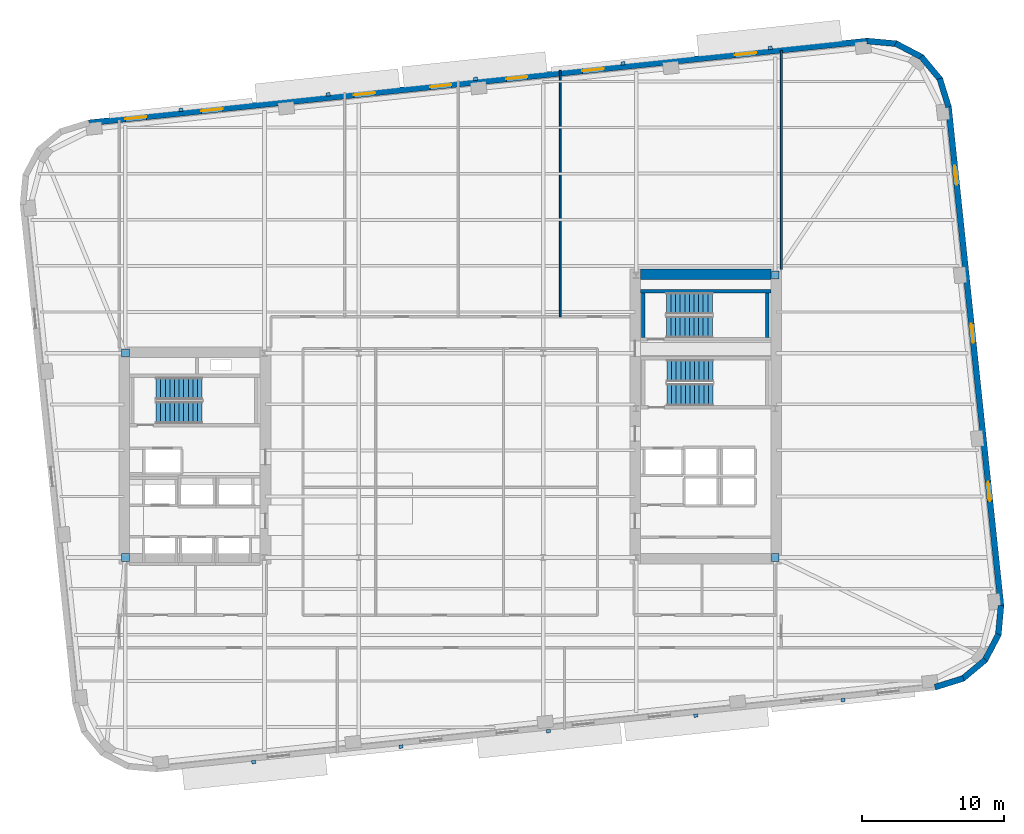
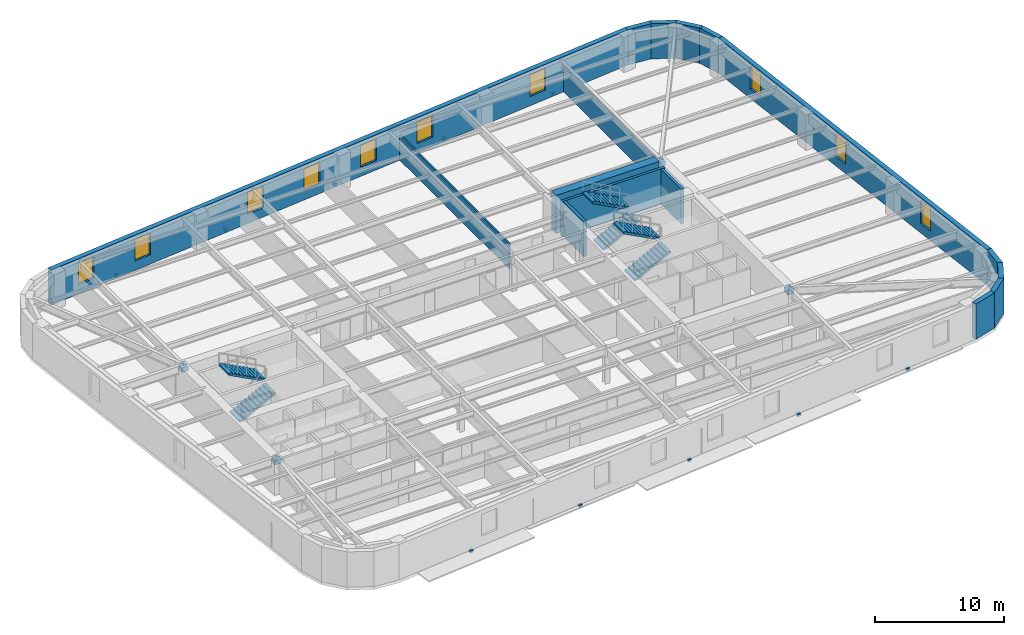
# One storey, part 7 of 12: 16 walls, 14 discrete accessories, 10 windows, 6 stair flights, 10 openings, 3 elements without a shape of their own.
"""IFC4 building model written with IfcOpenShell, lengths in metres."""

from ifc_helpers import new_model, si_unit, direction, frame, frame_2d, origin, origin_2d, place, context, subcontext, project, spatial, polyline, rectangle, outline, extrude, material, layer, layer_set, type_object, element, fill, aggregate, save


model = new_model("IFC4")

# Units and contexts
model_context = context("Model", 3, precision=1e-05, world=origin(), true_north=direction((0.0, 1.0)))
body_context = subcontext(model_context, "Body", "Model", "MODEL_VIEW")
ifc_project = project(units=[si_unit("LENGTHUNIT", "METRE"), si_unit("AREAUNIT", "SQUARE_METRE"), si_unit("VOLUMEUNIT", "CUBIC_METRE"), si_unit("PLANEANGLEUNIT", "RADIAN"), si_unit("MASSUNIT", "GRAM", prefix="KILO")], contexts=[model_context])

# Site, building, storey
site_placement = place(None, origin())
site = spatial("IfcSite", under=ifc_project, at=site_placement, CompositionType="ELEMENT")
building_placement = place(site_placement, origin())
building = spatial("IfcBuilding", under=site, at=building_placement, Name="Kolvaren Arena Tower", CompositionType="ELEMENT")
storey_placement = place(building_placement, frame((0.0, 0.0, 149.5)))
storey = spatial("IfcBuildingStorey", under=building, at=storey_placement, Name="L35", CompositionType="ELEMENT", Elevation=149.5)

# Walls
ifc_material_1 = material(Name="Concrete 70 MPa", Category="concrete")
ifc_layer_1 = layer(ifc_material_1, 0.75)
ifc_layer_set_1 = layer_set([ifc_layer_1], Name="Concrete 70 MPa")
wall_type_1 = type_object("IfcWallType", Name="CWALL-750", PredefinedType="SHEAR", material=ifc_layer_set_1)
wall_1_placement = place(storey_placement, frame((50.85009765625, 39.425048828125, -0.27001953125), z_axis=(0.0, 0.0, 1.0), x_axis=(1.0, 0.0, 0.0)))
element("IfcWall", 1, at=wall_1_placement, inside=storey, type_object=wall_type_1, Name="Core Shear Wall EC-NORTH (L35)", PredefinedType="SHEAR", context=body_context, shape_type="SweptSolid", body=[
    extrude(rectangle(XDim=9.199951171875, YDim=0.75, at=frame_2d((4.60009765625, 0.0))), origin(), (0.0, 0.0, 1.0), 3.60009765625),
])
ifc_material_2 = material(Name="Precast concrete C50/60", Category="concrete")
ifc_layer_2 = layer(ifc_material_2, 0.419921875)
ifc_layer_set_2 = layer_set([ifc_layer_2], Name="Precast concrete C50/60")
wall_type_2 = type_object("IfcWallType", Name="EXT-PIER1", PredefinedType="SOLIDWALL", material=ifc_layer_set_2)
for number, where, z_axis, x_axis, name in (
    (2, (73.61328125, 10.93701171875, 0.0), (0.0, 0.0, 1.0), (-0.954993985335, -0.296625164093, 0.0), "Exterior Precast Masonry-Frame Wall (L35)"),
    (3, (75.1611328125, 12.2451171875, 0.0), (0.0, 0.0, 1.0), (-0.768800317178, -0.639488914921, 0.0), "Exterior Precast Masonry-Frame Wall (L35)"),
):
    element("IfcWall", number, at=place(storey_placement, frame(where, z_axis=z_axis, x_axis=x_axis)), inside=storey, type_object=wall_type_2, Name=name, PredefinedType="SOLIDWALL", context=body_context, shape_type="SweptSolid", body=[
        extrude(rectangle(XDim=2.10693359375, YDim=0.419921875, at=frame_2d((1.053466796875, 0.0))), origin(), (0.0, 0.0, 1.0), 3.330078125),
    ])
wall_2_placement = place(storey_placement, frame((76.0908203125, 14.046142578125, 0.0), z_axis=(0.0, 0.0, 1.0), x_axis=(-0.465655699908, -0.884965970613, 0.0)))
element("IfcWall", 4, at=wall_2_placement, inside=storey, type_object=wall_type_2, Name="Exterior Precast Masonry-Frame Wall (L35)", PredefinedType="SOLIDWALL", context=body_context, shape_type="SweptSolid", body=[
    extrude(rectangle(XDim=2.107177734375, YDim=0.419921875, at=frame_2d((1.0537109375, 0.0))), origin(), (0.0, 0.0, 1.0), 3.330078125),
])
wall_3_placement = place(storey_placement, frame((76.26025390625, 16.065673828125, 0.0), z_axis=(0.0, 0.0, 1.0), x_axis=(-0.091538655308, -0.995801523691, 0.0)))
element("IfcWall", 5, at=wall_3_placement, inside=storey, type_object=wall_type_2, Name="Exterior Precast Masonry-Frame Wall (L35)", PredefinedType="SOLIDWALL", context=body_context, shape_type="SweptSolid", body=[
    extrude(rectangle(XDim=2.10693359375, YDim=0.419921875, at=frame_2d((1.053466796875, 0.0))), origin(), (0.0, 0.0, 1.0), 3.330078125),
])

# Wall, openings, windows
wall_4_placement = place(storey_placement, frame((72.560302734375, 51.23046875, 0.0), z_axis=(0.0, 0.0, 1.0), x_axis=(0.1045253859, -0.994522218808, 0.0)))
wall_4 = element("IfcWall", 6, at=wall_4_placement, inside=storey, type_object=wall_type_2, Name="Exterior Precast Masonry-Frame Wall (L35)", PredefinedType="SOLIDWALL", context=body_context, shape_type="SweptSolid", body=[
    extrude(rectangle(XDim=35.39990234375, YDim=0.419921875, at=frame_2d((17.699951171875, 0.0))), origin(), (0.0, 0.0, 1.0), 3.330078125),
])
opening_1_placement = place(wall_4_placement, frame((4.199951171875, 0.0, 0.8798828125)))
opening_1 = element("IfcOpeningElement", 7, at=opening_1_placement, cuts=wall_4, Name="Opening W04", PredefinedType="OPENING", context=body_context, shape_type="SweptSolid", body=[
    extrude(rectangle(XDim=1.35009765625, YDim=2.199951171875, at=frame_2d((0.675048828125, 1.10009765625))), frame((0.0, 0.219970703125, 0.0), z_axis=(0.0, -1.0, 0.0), x_axis=(1.0, 0.0, 0.0)), (0.0, 0.0, 1.0), 0.43994140625),
])
opening_2_placement = place(wall_4_placement, frame((15.39990234375, 0.0, 0.8798828125)))
opening_2 = element("IfcOpeningElement", 8, at=opening_2_placement, cuts=wall_4, Name="Opening W04", PredefinedType="OPENING", context=body_context, shape_type="SweptSolid", body=[
    extrude(rectangle(XDim=1.35009765625, YDim=2.199951171875, at=frame_2d((0.675048828125, 1.10009765625))), frame((0.0, 0.219970703125, 0.0), z_axis=(0.0, -1.0, 0.0), x_axis=(1.0, 0.0, 0.0)), (0.0, 0.0, 1.0), 0.43994140625),
])
opening_3_placement = place(wall_4_placement, frame((26.60009765625, 0.0, 0.8798828125)))
opening_3 = element("IfcOpeningElement", 9, at=opening_3_placement, cuts=wall_4, Name="Opening W04", PredefinedType="OPENING", context=body_context, shape_type="SweptSolid", body=[
    extrude(rectangle(XDim=1.35009765625, YDim=2.199951171875, at=frame_2d((0.675048828125, 1.10009765625))), frame((0.0, 0.219970703125, 0.0), z_axis=(0.0, -1.0, 0.0), x_axis=(1.0, 0.0, 0.0)), (0.0, 0.0, 1.0), 0.43994140625),
])
ifc_material_3 = material(Name="Triple-glazed curved-facet corner window", Category="glass")
window_type_1 = type_object("IfcWindowType", Name="WIN-CRN-A", PartitioningType="SINGLE_PANEL", PredefinedType="WINDOW", material=ifc_material_3)
window_1_placement = place(opening_1_placement, origin())
window_1 = element("IfcWindow", 10, at=window_1_placement, inside=storey, type_object=window_type_1, Name="End-Wall Punched Window (L35)", OverallHeight=2.199951171875, OverallWidth=1.35009765625, PartitioningType="SINGLE_PANEL", PredefinedType="WINDOW", context=body_context, shape_type="SweptSolid", body=[
    extrude(rectangle(XDim=1.35009765625, YDim=2.199951171875, at=frame_2d((0.675048828125, 1.10009765625))), frame((0.0, 0.030029296875, 0.0), z_axis=(0.0, -1.0, 0.0), x_axis=(1.0, 0.0, 0.0)), (0.0, 0.0, 1.0), 0.06005859375),
])
fill(opening_1, window_1)
window_2_placement = place(opening_2_placement, origin())
window_2 = element("IfcWindow", 11, at=window_2_placement, inside=storey, type_object=window_type_1, Name="End-Wall Punched Window (L35)", OverallHeight=2.199951171875, OverallWidth=1.35009765625, PartitioningType="SINGLE_PANEL", PredefinedType="WINDOW", context=body_context, shape_type="SweptSolid", body=[
    extrude(rectangle(XDim=1.35009765625, YDim=2.199951171875, at=frame_2d((0.675048828125, 1.10009765625))), frame((0.0, 0.030029296875, 0.0), z_axis=(0.0, -1.0, 0.0), x_axis=(1.0, 0.0, 0.0)), (0.0, 0.0, 1.0), 0.06005859375),
])
fill(opening_2, window_2)
window_3_placement = place(opening_3_placement, origin())
window_3 = element("IfcWindow", 12, at=window_3_placement, inside=storey, type_object=window_type_1, Name="End-Wall Punched Window (L35)", OverallHeight=2.199951171875, OverallWidth=1.35009765625, PartitioningType="SINGLE_PANEL", PredefinedType="WINDOW", context=body_context, shape_type="SweptSolid", body=[
    extrude(rectangle(XDim=1.35009765625, YDim=2.199951171875, at=frame_2d((0.675048828125, 1.10009765625))), frame((0.0, 0.030029296875, 0.0), z_axis=(0.0, -1.0, 0.0), x_axis=(1.0, 0.0, 0.0)), (0.0, 0.0, 1.0), 0.06005859375),
])
fill(opening_3, window_3)

# Walls
for number, where, z_axis, x_axis, name in (
    (13, (71.943603515625, 53.202392578125, 0.0), (0.0, 0.0, 1.0), (0.296625164093, -0.954993985335, 0.0), "Exterior Precast Masonry-Frame Wall (L35)"),
    (14, (70.635498046875, 54.750244140625, 0.0), (0.0, 0.0, 1.0), (0.639488914921, -0.768800317178, 0.0), "Exterior Precast Masonry-Frame Wall (L35)"),
    (15, (68.83447265625, 55.6796875, 0.0), (0.0, 0.0, 1.0), (0.885013714693, -0.465564952296, 0.0), "Exterior Precast Masonry-Frame Wall (L35)"),
    (16, (66.81494140625, 55.849365234375, 0.0), (0.0, 0.0, 1.0), (0.995801523691, -0.091538655308, 0.0), "Exterior Precast Masonry-Frame Wall (L35)"),
):
    element("IfcWall", number, at=place(storey_placement, frame(where, z_axis=z_axis, x_axis=x_axis)), inside=storey, type_object=wall_type_2, Name=name, PredefinedType="SOLIDWALL", context=body_context, shape_type="SweptSolid", body=[
        extrude(rectangle(XDim=2.10693359375, YDim=0.419921875, at=frame_2d((1.053466796875, 0.0))), origin(), (0.0, 0.0, 1.0), 3.330078125),
    ])

# Wall, openings, windows
wall_5_placement = place(storey_placement, frame((11.95849609375, 50.07958984375, 0.0), z_axis=(0.0, 0.0, 1.0), x_axis=(0.994521823388, 0.104529148113, 0.0)))
wall_5 = element("IfcWall", 17, at=wall_5_placement, inside=storey, type_object=wall_type_2, Name="Exterior Precast Masonry-Frame Wall (L35)", PredefinedType="SOLIDWALL", context=body_context, shape_type="SweptSolid", body=[
    extrude(rectangle(XDim=55.2001953125, YDim=0.419921875, at=frame_2d((27.60009765625, 0.0))), origin(), (0.0, 0.0, 1.0), 3.330078125),
])
opening_4_placement = place(wall_5_placement, frame((2.60009765625, 0.0, 0.8798828125)))
opening_4 = element("IfcOpeningElement", 18, at=opening_4_placement, cuts=wall_5, Name="Opening W03", PredefinedType="OPENING", context=body_context, shape_type="SweptSolid", body=[
    extrude(rectangle(XDim=1.5, YDim=2.050048828125, at=frame_2d((0.75, 1.02490234375))), frame((0.0, 0.219970703125, 0.0), z_axis=(0.0, -1.0, 0.0), x_axis=(1.0, 0.0, 0.0)), (0.0, 0.0, 1.0), 0.43994140625),
])
opening_5_placement = place(wall_5_placement, frame((8.0, 0.0, 0.8798828125)))
opening_5 = element("IfcOpeningElement", 19, at=opening_5_placement, cuts=wall_5, Name="Opening W03", PredefinedType="OPENING", context=body_context, shape_type="SweptSolid", body=[
    extrude(rectangle(XDim=1.5, YDim=2.050048828125, at=frame_2d((0.75, 1.02490234375))), frame((0.0, 0.219970703125, 0.0), z_axis=(0.0, -1.0, 0.0), x_axis=(1.0, 0.0, 0.0)), (0.0, 0.0, 1.0), 0.43994140625),
])
opening_6_placement = place(wall_5_placement, frame((18.800048828125, 0.0, 0.8798828125)))
opening_6 = element("IfcOpeningElement", 20, at=opening_6_placement, cuts=wall_5, Name="Opening W03", PredefinedType="OPENING", context=body_context, shape_type="SweptSolid", body=[
    extrude(rectangle(XDim=1.5, YDim=2.050048828125, at=frame_2d((0.75, 1.02490234375))), frame((0.0, 0.219970703125, 0.0), z_axis=(0.0, -1.0, 0.0), x_axis=(1.0, 0.0, 0.0)), (0.0, 0.0, 1.0), 0.43994140625),
])
opening_7_placement = place(wall_5_placement, frame((24.199951171875, 0.0, 0.8798828125)))
opening_7 = element("IfcOpeningElement", 21, at=opening_7_placement, cuts=wall_5, Name="Opening W03", PredefinedType="OPENING", context=body_context, shape_type="SweptSolid", body=[
    extrude(rectangle(XDim=1.5, YDim=2.050048828125, at=frame_2d((0.75, 1.02490234375))), frame((0.0, 0.219970703125, 0.0), z_axis=(0.0, -1.0, 0.0), x_axis=(1.0, 0.0, 0.0)), (0.0, 0.0, 1.0), 0.43994140625),
])
opening_8_placement = place(wall_5_placement, frame((29.60009765625, 0.0, 0.8798828125)))
opening_8 = element("IfcOpeningElement", 22, at=opening_8_placement, cuts=wall_5, Name="Opening W03", PredefinedType="OPENING", context=body_context, shape_type="SweptSolid", body=[
    extrude(rectangle(XDim=1.5, YDim=2.050048828125, at=frame_2d((0.75, 1.02490234375))), frame((0.0, 0.219970703125, 0.0), z_axis=(0.0, -1.0, 0.0), x_axis=(1.0, 0.0, 0.0)), (0.0, 0.0, 1.0), 0.43994140625),
])
opening_9_placement = place(wall_5_placement, frame((35.0, 0.0, 0.8798828125)))
opening_9 = element("IfcOpeningElement", 23, at=opening_9_placement, cuts=wall_5, Name="Opening W03", PredefinedType="OPENING", context=body_context, shape_type="SweptSolid", body=[
    extrude(rectangle(XDim=1.5, YDim=2.050048828125, at=frame_2d((0.75, 1.02490234375))), frame((0.0, 0.219970703125, 0.0), z_axis=(0.0, -1.0, 0.0), x_axis=(1.0, 0.0, 0.0)), (0.0, 0.0, 1.0), 0.43994140625),
])
opening_10_placement = place(wall_5_placement, frame((45.800048828125, 0.0, 0.8798828125)))
opening_10 = element("IfcOpeningElement", 24, at=opening_10_placement, cuts=wall_5, Name="Opening W03", PredefinedType="OPENING", context=body_context, shape_type="SweptSolid", body=[
    extrude(rectangle(XDim=1.5, YDim=2.050048828125, at=frame_2d((0.75, 1.02490234375))), frame((0.0, 0.219970703125, 0.0), z_axis=(0.0, -1.0, 0.0), x_axis=(1.0, 0.0, 0.0)), (0.0, 0.0, 1.0), 0.43994140625),
])
ifc_material_4 = material(Name="Triple-glazed low-E aluminium window", Category="aluminium")
window_type_2 = type_object("IfcWindowType", Name="WIN-OFF-C", PartitioningType="SINGLE_PANEL", PredefinedType="WINDOW", material=ifc_material_4)
window_4_placement = place(opening_4_placement, origin())
window_4 = element("IfcWindow", 25, at=window_4_placement, inside=storey, type_object=window_type_2, Name="Punched Precast-Pier Window (L35)", OverallHeight=2.050048828125, OverallWidth=1.5, PartitioningType="SINGLE_PANEL", PredefinedType="WINDOW", context=body_context, shape_type="SweptSolid", body=[
    extrude(rectangle(XDim=1.5, YDim=2.050048828125, at=frame_2d((0.75, 1.02490234375))), frame((0.0, 0.030029296875, 0.0), z_axis=(0.0, -1.0, 0.0), x_axis=(1.0, 0.0, 0.0)), (0.0, 0.0, 1.0), 0.06005859375),
])
fill(opening_4, window_4)
window_5_placement = place(opening_5_placement, origin())
window_5 = element("IfcWindow", 26, at=window_5_placement, inside=storey, type_object=window_type_2, Name="Punched Precast-Pier Window (L35)", OverallHeight=2.050048828125, OverallWidth=1.5, PartitioningType="SINGLE_PANEL", PredefinedType="WINDOW", context=body_context, shape_type="SweptSolid", body=[
    extrude(rectangle(XDim=1.5, YDim=2.050048828125, at=frame_2d((0.75, 1.02490234375))), frame((0.0, 0.030029296875, 0.0), z_axis=(0.0, -1.0, 0.0), x_axis=(1.0, 0.0, 0.0)), (0.0, 0.0, 1.0), 0.06005859375),
])
fill(opening_5, window_5)
window_6_placement = place(opening_6_placement, origin())
window_6 = element("IfcWindow", 27, at=window_6_placement, inside=storey, type_object=window_type_2, Name="Punched Precast-Pier Window (L35)", OverallHeight=2.050048828125, OverallWidth=1.5, PartitioningType="SINGLE_PANEL", PredefinedType="WINDOW", context=body_context, shape_type="SweptSolid", body=[
    extrude(rectangle(XDim=1.5, YDim=2.050048828125, at=frame_2d((0.75, 1.02490234375))), frame((0.0, 0.030029296875, 0.0), z_axis=(0.0, -1.0, 0.0), x_axis=(1.0, 0.0, 0.0)), (0.0, 0.0, 1.0), 0.06005859375),
])
fill(opening_6, window_6)
window_7_placement = place(opening_7_placement, origin())
window_7 = element("IfcWindow", 28, at=window_7_placement, inside=storey, type_object=window_type_2, Name="Punched Precast-Pier Window (L35)", OverallHeight=2.050048828125, OverallWidth=1.5, PartitioningType="SINGLE_PANEL", PredefinedType="WINDOW", context=body_context, shape_type="SweptSolid", body=[
    extrude(rectangle(XDim=1.5, YDim=2.050048828125, at=frame_2d((0.75, 1.02490234375))), frame((0.0, 0.030029296875, 0.0), z_axis=(0.0, -1.0, 0.0), x_axis=(1.0, 0.0, 0.0)), (0.0, 0.0, 1.0), 0.06005859375),
])
fill(opening_7, window_7)
window_8_placement = place(opening_8_placement, origin())
window_8 = element("IfcWindow", 29, at=window_8_placement, inside=storey, type_object=window_type_2, Name="Punched Precast-Pier Window (L35)", OverallHeight=2.050048828125, OverallWidth=1.5, PartitioningType="SINGLE_PANEL", PredefinedType="WINDOW", context=body_context, shape_type="SweptSolid", body=[
    extrude(rectangle(XDim=1.5, YDim=2.050048828125, at=frame_2d((0.75, 1.02490234375))), frame((0.0, 0.030029296875, 0.0), z_axis=(0.0, -1.0, 0.0), x_axis=(1.0, 0.0, 0.0)), (0.0, 0.0, 1.0), 0.06005859375),
])
fill(opening_8, window_8)
window_9_placement = place(opening_9_placement, origin())
window_9 = element("IfcWindow", 30, at=window_9_placement, inside=storey, type_object=window_type_2, Name="Punched Precast-Pier Window (L35)", OverallHeight=2.050048828125, OverallWidth=1.5, PartitioningType="SINGLE_PANEL", PredefinedType="WINDOW", context=body_context, shape_type="SweptSolid", body=[
    extrude(rectangle(XDim=1.5, YDim=2.050048828125, at=frame_2d((0.75, 1.02490234375))), frame((0.0, 0.030029296875, 0.0), z_axis=(0.0, -1.0, 0.0), x_axis=(1.0, 0.0, 0.0)), (0.0, 0.0, 1.0), 0.06005859375),
])
fill(opening_9, window_9)
window_10_placement = place(opening_10_placement, origin())
window_10 = element("IfcWindow", 31, at=window_10_placement, inside=storey, type_object=window_type_2, Name="Punched Precast-Pier Window (L35)", OverallHeight=2.050048828125, OverallWidth=1.5, PartitioningType="SINGLE_PANEL", PredefinedType="WINDOW", context=body_context, shape_type="SweptSolid", body=[
    extrude(rectangle(XDim=1.5, YDim=2.050048828125, at=frame_2d((0.75, 1.02490234375))), frame((0.0, 0.030029296875, 0.0), z_axis=(0.0, -1.0, 0.0), x_axis=(1.0, 0.0, 0.0)), (0.0, 0.0, 1.0), 0.06005859375),
])
fill(opening_10, window_10)

# Walls
ifc_material_5 = material(Name="Gypsum board partition assembly", Category="gypsum")
ifc_layer_3 = layer(ifc_material_5, 0.135009765625)
ifc_layer_set_3 = layer_set([ifc_layer_3], Name="Gypsum board partition assembly")
wall_type_3 = type_object("IfcWallType", Name="PART-135", PredefinedType="PARTITIONING", material=ifc_layer_set_3)
wall_6_placement = place(storey_placement, frame((45.199951171875, 36.419921875, 0.0), z_axis=(0.0, 0.0, 1.0), x_axis=(0.0, 1.0, 0.0)))
element("IfcWall", 32, at=wall_6_placement, inside=storey, type_object=wall_type_3, Name="Interior Partition Wall (L35)", PredefinedType="PARTITIONING", context=body_context, shape_type="SweptSolid", body=[
    extrude(rectangle(XDim=17.36474609375, YDim=0.135009765625, at=frame_2d((8.682373046875, 0.0))), origin(), (0.0, 0.0, 1.0), 2.389892578125),
])
wall_7_placement = place(storey_placement, frame((60.780029296875, 39.75, 0.0), z_axis=(0.0, 0.0, 1.0), x_axis=(0.0, 1.0, 0.0)))
element("IfcWall", 33, at=wall_7_placement, inside=storey, type_object=wall_type_3, Name="Interior Partition Wall (L35)", PredefinedType="PARTITIONING", context=body_context, shape_type="SweptSolid", body=[
    extrude(rectangle(XDim=15.430908203125, YDim=0.135009765625, at=frame_2d((7.71533203125, 0.0))), origin(), (0.0, 0.0, 1.0), 2.389892578125),
])
ifc_material_6 = material(Name="Concrete 45 MPa", Category="concrete")
ifc_layer_4 = layer(ifc_material_6, 0.25)
ifc_layer_set_4 = layer_set([ifc_layer_4], Name="Concrete 45 MPa")
wall_type_4 = type_object("IfcWallType", Name="SHAFT-250", PredefinedType="SOLIDWALL", material=ifc_layer_set_4)
wall_8_placement = place(storey_placement, frame((50.85009765625, 38.219970703125, 0.0), z_axis=(0.0, 0.0, 1.0), x_axis=(1.0, 0.0, 0.0)))
element("IfcWall", 34, at=wall_8_placement, inside=storey, type_object=wall_type_4, Name="Core Shaft Wall (L35)", PredefinedType="SOLIDWALL", context=body_context, shape_type="SweptSolid", body=[
    extrude(rectangle(XDim=9.199951171875, YDim=0.239990234375, at=frame_2d((4.60009765625, 0.0))), origin(), (0.0, 0.0, 1.0), 3.330078125),
])
for number, where, z_axis, x_axis, name in (
    (35, (51.06005859375, 34.949951171875, 0.0), (0.0, 0.0, 1.0), (0.0, 1.0, 0.0), "Core Shaft Wall (L35)"),
    (36, (59.780029296875, 34.949951171875, 0.0), (0.0, 0.0, 1.0), (0.0, 1.0, 0.0), "Core Shaft Wall (L35)"),
):
    element("IfcWall", number, at=place(storey_placement, frame(where, z_axis=z_axis, x_axis=x_axis)), inside=storey, type_object=wall_type_4, Name=name, PredefinedType="SOLIDWALL", context=body_context, shape_type="SweptSolid", body=[
        extrude(rectangle(XDim=3.150146484375, YDim=0.239990234375, at=frame_2d((1.5751953125, 0.0))), origin(), (0.0, 0.0, 1.0), 3.330078125),
    ])

# Stair, stair flights
stair_type_1 = type_object("IfcStairType", Name="STAIR-CORE-150", PredefinedType="HALF_TURN_STAIR", material=ifc_material_6)
stair_1_placement = place(storey_placement, origin())
stair_1 = element("IfcStair", 37, at=stair_1_placement, inside=storey, type_object=stair_type_1, Name="L35 ST-E2", PredefinedType="HALF_TURN_STAIR")
stair_flight_type_1 = type_object("IfcStairFlightType", Name="FLT-150", PredefinedType="STRAIGHT", material=ifc_material_6)
stair_flight_1_placement = place(storey_placement, frame((52.679931640625, 35.699951171875, 0.0), z_axis=(0.0, 0.0, 1.0), x_axis=(1.0, 0.0, 0.0)))
stair_flight_1 = element("IfcStairFlight", 38, at=stair_flight_1_placement, type_object=stair_flight_type_1, Name="ST-E2 flight 1", NumberOfRisers=11, NumberOfTreads=10, PredefinedType="STRAIGHT", RiserHeight=0.170454545, TreadLength=0.324, context=body_context, shape_type="SweptSolid", body=[
    extrude(outline(polyline([(0.0, 0.0), (0.0, 0.17041015625), (0.323974609375, 0.17041015625), (0.323974609375, 0.3408203125), (0.64794921875, 0.3408203125), (0.64794921875, 0.511474609375), (0.971923828125, 0.511474609375), (0.971923828125, 0.681884765625), (1.2958984375, 0.681884765625), (1.2958984375, 0.852294921875), (1.6201171875, 0.852294921875), (1.6201171875, 1.022705078125), (1.944091796875, 1.022705078125), (1.944091796875, 1.193115234375), (2.26806640625, 1.193115234375), (2.26806640625, 1.363525390625), (2.592041015625, 1.363525390625), (2.592041015625, 1.5341796875), (2.916015625, 1.5341796875), (2.916015625, 1.70458984375), (3.239990234375, 1.70458984375), (3.239990234375, 1.875), (3.239990234375, 1.53515625), (0.322021484375, 0.0), (0.0, 0.0)])), frame((0.0, 0.75, 0.0), z_axis=(0.0, -1.0, 0.0), x_axis=(1.0, 0.0, 0.0)), (0.0, 0.0, 1.0), 1.5),
])
stair_flight_2_placement = place(storey_placement, frame((55.919921875, 37.35009765625, 1.875), z_axis=(0.0, 0.0, 1.0), x_axis=(-1.0, 0.0, 0.0)))
stair_flight_2 = element("IfcStairFlight", 39, at=stair_flight_2_placement, type_object=stair_flight_type_1, Name="ST-E2 flight 2", NumberOfRisers=11, NumberOfTreads=10, PredefinedType="STRAIGHT", RiserHeight=0.170454545, TreadLength=0.324, context=body_context, shape_type="SweptSolid", body=[
    extrude(outline(polyline([(0.0, 0.0), (0.0, 0.17041015625), (0.323974609375, 0.17041015625), (0.323974609375, 0.3408203125), (0.64794921875, 0.3408203125), (0.64794921875, 0.511474609375), (0.971923828125, 0.511474609375), (0.971923828125, 0.681884765625), (1.2958984375, 0.681884765625), (1.2958984375, 0.852294921875), (1.6201171875, 0.852294921875), (1.6201171875, 1.022705078125), (1.944091796875, 1.022705078125), (1.944091796875, 1.193115234375), (2.26806640625, 1.193115234375), (2.26806640625, 1.363525390625), (2.592041015625, 1.363525390625), (2.592041015625, 1.5341796875), (2.916015625, 1.5341796875), (2.916015625, 1.70458984375), (3.239990234375, 1.70458984375), (3.239990234375, 1.875), (3.239990234375, 1.53515625), (0.322021484375, 0.0), (0.0, 0.0)])), frame((0.0, 0.75, 0.0), z_axis=(0.0, -1.0, 0.0), x_axis=(1.0, 0.0, 0.0)), (0.0, 0.0, 1.0), 1.5),
])
aggregate(stair_1, [stair_flight_1, stair_flight_2])

stair_type_2 = type_object("IfcStairType", Name="STAIR-CORE-165", PredefinedType="HALF_TURN_STAIR", material=ifc_material_6)
stair_2_placement = place(storey_placement, origin())
stair_2 = element("IfcStair", 40, at=stair_2_placement, inside=storey, type_object=stair_type_2, Name="L35 ST-W1", PredefinedType="HALF_TURN_STAIR")
stair_flight_type_2 = type_object("IfcStairFlightType", Name="FLT-165", PredefinedType="STRAIGHT", material=ifc_material_6)
stair_flight_3_placement = place(storey_placement, frame((16.719970703125, 29.669921875, 0.0), z_axis=(0.0, 0.0, 1.0), x_axis=(1.0, 0.0, 0.0)))
stair_flight_3 = element("IfcStairFlight", 41, at=stair_flight_3_placement, type_object=stair_flight_type_2, Name="ST-W1 flight 1", NumberOfRisers=11, NumberOfTreads=10, PredefinedType="STRAIGHT", RiserHeight=0.170454545, TreadLength=0.324, context=body_context, shape_type="SweptSolid", body=[
    extrude(outline(polyline([(0.0, 0.0), (0.0, 0.17041015625), (0.323974609375, 0.17041015625), (0.323974609375, 0.3408203125), (0.64794921875, 0.3408203125), (0.64794921875, 0.511474609375), (0.971923828125, 0.511474609375), (0.971923828125, 0.681884765625), (1.2958984375, 0.681884765625), (1.2958984375, 0.852294921875), (1.6201171875, 0.852294921875), (1.6201171875, 1.022705078125), (1.944091796875, 1.022705078125), (1.944091796875, 1.193115234375), (2.26806640625, 1.193115234375), (2.26806640625, 1.363525390625), (2.592041015625, 1.363525390625), (2.592041015625, 1.5341796875), (2.916015625, 1.5341796875), (2.916015625, 1.70458984375), (3.239990234375, 1.70458984375), (3.239990234375, 1.875), (3.239990234375, 1.53515625), (0.322021484375, 0.0), (0.0, 0.0)])), frame((0.0, 0.77001953125, 0.0), z_axis=(0.0, -1.0, 0.0), x_axis=(1.0, 0.0, 0.0)), (0.0, 0.0, 1.0), 1.5400390625),
])
stair_flight_4_placement = place(storey_placement, frame((19.9599609375, 31.360107421875, 1.875), z_axis=(0.0, 0.0, 1.0), x_axis=(-1.0, 0.0, 0.0)))
stair_flight_4 = element("IfcStairFlight", 42, at=stair_flight_4_placement, type_object=stair_flight_type_2, Name="ST-W1 flight 2", NumberOfRisers=11, NumberOfTreads=10, PredefinedType="STRAIGHT", RiserHeight=0.170454545, TreadLength=0.324, context=body_context, shape_type="SweptSolid", body=[
    extrude(outline(polyline([(0.0, 0.0), (0.0, 0.17041015625), (0.323974609375, 0.17041015625), (0.323974609375, 0.3408203125), (0.64794921875, 0.3408203125), (0.64794921875, 0.511474609375), (0.971923828125, 0.511474609375), (0.971923828125, 0.681884765625), (1.2958984375, 0.681884765625), (1.2958984375, 0.852294921875), (1.6201171875, 0.852294921875), (1.6201171875, 1.022705078125), (1.944091796875, 1.022705078125), (1.944091796875, 1.193115234375), (2.26806640625, 1.193115234375), (2.26806640625, 1.363525390625), (2.592041015625, 1.363525390625), (2.592041015625, 1.5341796875), (2.916015625, 1.5341796875), (2.916015625, 1.70458984375), (3.239990234375, 1.70458984375), (3.239990234375, 1.875), (3.239990234375, 1.53515625), (0.322021484375, 0.0), (0.0, 0.0)])), frame((0.0, 0.77001953125, 0.0), z_axis=(0.0, -1.0, 0.0), x_axis=(1.0, 0.0, 0.0)), (0.0, 0.0, 1.0), 1.5400390625),
])
aggregate(stair_2, [stair_flight_3, stair_flight_4])

stair_3_placement = place(storey_placement, origin())
stair_3 = element("IfcStair", 43, at=stair_3_placement, inside=storey, type_object=stair_type_2, Name="L35 ST-E1", PredefinedType="HALF_TURN_STAIR")
stair_flight_5_placement = place(storey_placement, frame((52.719970703125, 30.919921875, 0.0), z_axis=(0.0, 0.0, 1.0), x_axis=(1.0, 0.0, 0.0)))
stair_flight_5 = element("IfcStairFlight", 44, at=stair_flight_5_placement, type_object=stair_flight_type_2, Name="ST-E1 flight 1", NumberOfRisers=11, NumberOfTreads=10, PredefinedType="STRAIGHT", RiserHeight=0.170454545, TreadLength=0.324, context=body_context, shape_type="SweptSolid", body=[
    extrude(outline(polyline([(0.0, 0.0), (0.0, 0.17041015625), (0.323974609375, 0.17041015625), (0.323974609375, 0.3408203125), (0.64794921875, 0.3408203125), (0.64794921875, 0.511474609375), (0.971923828125, 0.511474609375), (0.971923828125, 0.681884765625), (1.2958984375, 0.681884765625), (1.2958984375, 0.852294921875), (1.6201171875, 0.852294921875), (1.6201171875, 1.022705078125), (1.944091796875, 1.022705078125), (1.944091796875, 1.193115234375), (2.26806640625, 1.193115234375), (2.26806640625, 1.363525390625), (2.592041015625, 1.363525390625), (2.592041015625, 1.5341796875), (2.916015625, 1.5341796875), (2.916015625, 1.70458984375), (3.239990234375, 1.70458984375), (3.239990234375, 1.875), (3.239990234375, 1.53515625), (0.322021484375, 0.0), (0.0, 0.0)])), frame((0.0, 0.77001953125, 0.0), z_axis=(0.0, -1.0, 0.0), x_axis=(1.0, 0.0, 0.0)), (0.0, 0.0, 1.0), 1.5400390625),
])
stair_flight_6_placement = place(storey_placement, frame((55.9599609375, 32.610107421875, 1.875), z_axis=(0.0, 0.0, 1.0), x_axis=(-1.0, 0.0, 0.0)))
stair_flight_6 = element("IfcStairFlight", 45, at=stair_flight_6_placement, type_object=stair_flight_type_2, Name="ST-E1 flight 2", NumberOfRisers=11, NumberOfTreads=10, PredefinedType="STRAIGHT", RiserHeight=0.170454545, TreadLength=0.324, context=body_context, shape_type="SweptSolid", body=[
    extrude(outline(polyline([(0.0, 0.0), (0.0, 0.17041015625), (0.323974609375, 0.17041015625), (0.323974609375, 0.3408203125), (0.64794921875, 0.3408203125), (0.64794921875, 0.511474609375), (0.971923828125, 0.511474609375), (0.971923828125, 0.681884765625), (1.2958984375, 0.681884765625), (1.2958984375, 0.852294921875), (1.6201171875, 0.852294921875), (1.6201171875, 1.022705078125), (1.944091796875, 1.022705078125), (1.944091796875, 1.193115234375), (2.26806640625, 1.193115234375), (2.26806640625, 1.363525390625), (2.592041015625, 1.363525390625), (2.592041015625, 1.5341796875), (2.916015625, 1.5341796875), (2.916015625, 1.70458984375), (3.239990234375, 1.70458984375), (3.239990234375, 1.875), (3.239990234375, 1.53515625), (0.322021484375, 0.0), (0.0, 0.0)])), frame((0.0, 0.77001953125, 0.0), z_axis=(0.0, -1.0, 0.0), x_axis=(1.0, 0.0, 0.0)), (0.0, 0.0, 1.0), 1.5400390625),
])
aggregate(stair_3, [stair_flight_5, stair_flight_6])

# Discrete accessories
ifc_material_7 = material(Name="Stainless steel facade support bracket", Category="steel")
discrete_accessory_type_1 = type_object("IfcDiscreteAccessoryType", Name="ACC-BRKT-1", PredefinedType="BRACKET", material=ifc_material_7)
for number, where, z_axis, x_axis, name in (
    (46, (18.468505859375, 50.9951171875, -0.18017578125), (0.0, 0.0, 1.0), (0.994522077803, 0.104526727499, 0.0), "Sunshade Support Bracket (L35)"),
    (47, (28.851318359375, 52.08642578125, -0.18017578125), (0.0, 0.0, 1.0), (0.994522077803, 0.104526727499, 0.0), "Sunshade Support Bracket (L35)"),
    (48, (39.234130859375, 53.177734375, -0.18017578125), (0.0, 0.0, 1.0), (0.994522077803, 0.104526727499, 0.0), "Sunshade Support Bracket (L35)"),
    (49, (49.616943359375, 54.268798828125, -0.18017578125), (0.0, 0.0, 1.0), (0.994522077803, 0.104526727499, 0.0), "Sunshade Support Bracket (L35)"),
    (50, (59.999755859375, 55.360107421875, -0.18017578125), (0.0, 0.0, 1.0), (0.994522077803, 0.104526727499, 0.0), "Sunshade Support Bracket (L35)"),
    (51, (65.131591796875, 9.40478515625, -0.18017578125), (0.0, 0.0, 1.0), (-0.994522077803, -0.104526727499, 0.0), "Sunshade Support Bracket (L35)"),
    (52, (54.748779296875, 8.313720703125, -0.18017578125), (0.0, 0.0, 1.0), (-0.994522077803, -0.104526727499, 0.0), "Sunshade Support Bracket (L35)"),
    (53, (44.365966796875, 7.222412109375, -0.18017578125), (0.0, 0.0, 1.0), (-0.994522077803, -0.104526727499, 0.0), "Sunshade Support Bracket (L35)"),
    (54, (33.983154296875, 6.131103515625, -0.18017578125), (0.0, 0.0, 1.0), (-0.994522077803, -0.104526727499, 0.0), "Sunshade Support Bracket (L35)"),
    (55, (23.600341796875, 5.039794921875, -0.18017578125), (0.0, 0.0, 1.0), (-0.994522077803, -0.104526727499, 0.0), "Sunshade Support Bracket (L35)"),
):
    element("IfcDiscreteAccessory", number, at=place(storey_placement, frame(where, z_axis=z_axis, x_axis=x_axis)), inside=storey, type_object=discrete_accessory_type_1, Name=name, PredefinedType="BRACKET", context=body_context, shape_type="SweptSolid", body=[
        extrude(rectangle(XDim=0.280029296875, YDim=0.239990234375, at=origin_2d()), origin(), (0.0, 0.0, 1.0), 0.239990234375),
    ])
ifc_material_8 = material(Name="Steel CSA G40.21 350W bolted gusset connection", Category="steel")
discrete_accessory_type_2 = type_object("IfcDiscreteAccessoryType", Name="ACC-CONN-1", PredefinedType="BRACKET", material=ifc_material_8)
for number, where, z_axis, x_axis, name in (
    (56, (60.35009765625, 19.449951171875, 2.7236328125), (0.0, 0.0, 1.0), (1.0, 0.0, 0.0), "Core Wall Cast-In Embed Plate EP1 (L35)"),
    (57, (60.35009765625, 39.35009765625, 2.7236328125), (0.0, 0.0, 1.0), (1.0, 0.0, 0.0), "Core Wall Cast-In Embed Plate EP1 (L35)"),
    (58, (14.550048828125, 33.85009765625, 2.7236328125), (0.0, 0.0, 1.0), (1.0, 0.0, 0.0), "Core Wall Cast-In Embed Plate EP1 (L35)"),
    (59, (14.550048828125, 19.449951171875, 2.7236328125), (0.0, 0.0, 1.0), (1.0, 0.0, 0.0), "Core Wall Cast-In Embed Plate EP1 (L35)"),
):
    element("IfcDiscreteAccessory", number, at=place(storey_placement, frame(where, z_axis=z_axis, x_axis=x_axis)), inside=storey, type_object=discrete_accessory_type_2, Name=name, PredefinedType="BRACKET", context=body_context, shape_type="SweptSolid", body=[
        extrude(rectangle(XDim=0.56005859375, YDim=0.56005859375, at=origin_2d()), origin(), (0.0, 0.0, 1.0), 0.43994140625),
    ])

save(model, "model.ifc")
